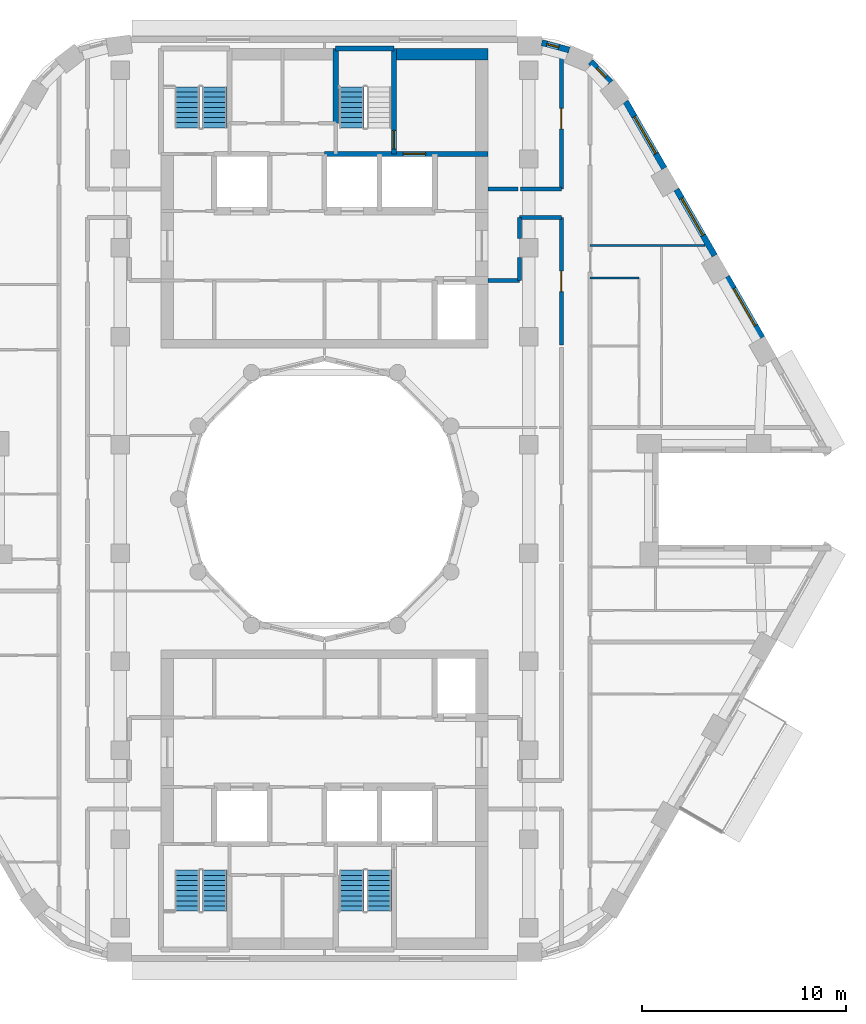
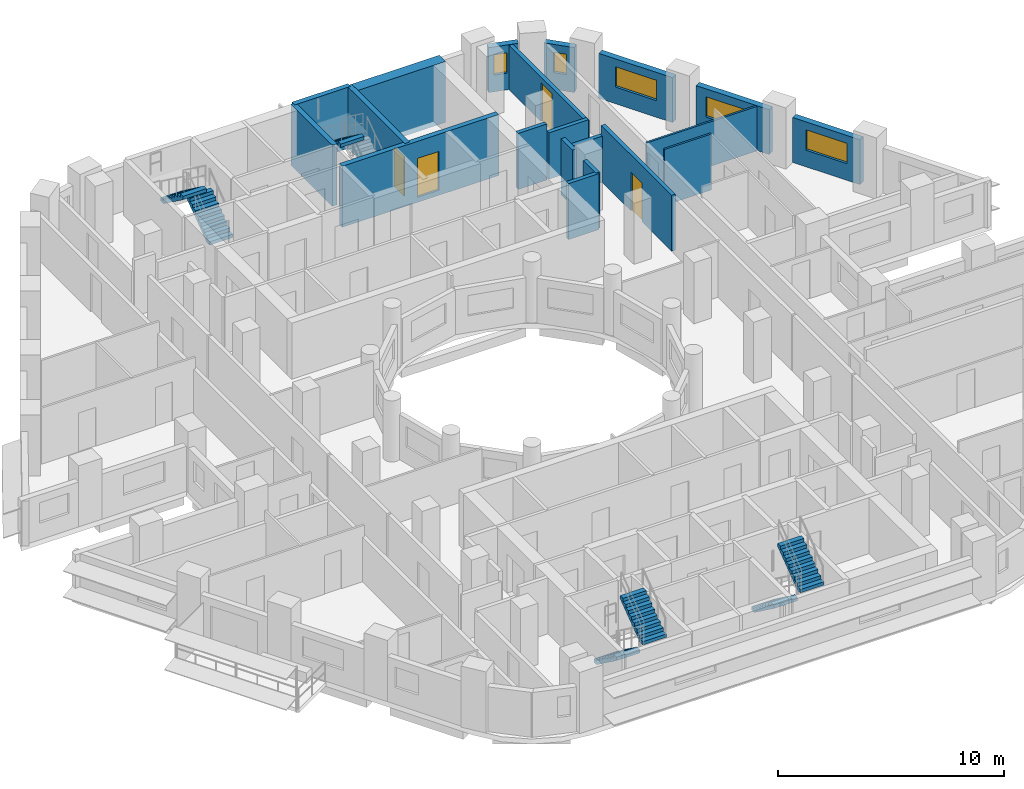
# One storey, part 9 of 16: 20 walls, 7 stair flights, 5 windows, 4 doors, 9 openings, 4 elements without a shape of their own.
"""IFC4 building model written with IfcOpenShell, lengths in metres."""

from ifc_helpers import new_model, si_unit, direction, frame, frame_2d, origin, place, context, subcontext, project, spatial, polyline, rectangle, outline, extrude, material, layer, layer_set, type_object, element, fill, aggregate, save


model = new_model("IFC4")

# Units and contexts
model_context = context("Model", 3, precision=1e-05, world=origin(), true_north=direction((0.0, 1.0)))
body_context = subcontext(model_context, "Body", "Model", "MODEL_VIEW")
ifc_project = project(units=[si_unit("LENGTHUNIT", "METRE"), si_unit("AREAUNIT", "SQUARE_METRE"), si_unit("VOLUMEUNIT", "CUBIC_METRE"), si_unit("PLANEANGLEUNIT", "RADIAN"), si_unit("MASSUNIT", "GRAM", prefix="KILO")], contexts=[model_context])

# Site, building, storey
site_placement = place(None, origin())
site = spatial("IfcSite", under=ifc_project, at=site_placement, CompositionType="ELEMENT")
building_placement = place(site_placement, origin())
building = spatial("IfcBuilding", under=site, at=building_placement, Name="Nakaniwa Court", CompositionType="ELEMENT")
storey_placement = place(building_placement, frame((0.0, 0.0, 196.5)))
storey = spatial("IfcBuildingStorey", under=building, at=storey_placement, Name="L51", CompositionType="ELEMENT", Elevation=196.5)

# Wall, opening, door
ifc_material_1 = material(Name="Acoustic double stud partition")
ifc_layer_1 = layer(ifc_material_1, 0.199951171875)
ifc_layer_set_1 = layer_set([ifc_layer_1], Name="Acoustic double stud partition")
wall_type_1 = type_object("IfcWallType", Name="Acoustic double stud partition 200", PredefinedType="PARTITIONING", material=ifc_layer_set_1)
wall_1_placement = place(storey_placement, frame((91.60009765625, 87.537109375, 0.0), z_axis=(0.0, 0.0, 1.0), x_axis=(0.0, 1.0, 0.0)))
wall_1 = element("IfcWall", 1, at=wall_1_placement, inside=storey, type_object=wall_type_1, Name="Partition PW-073", PredefinedType="PARTITIONING", context=body_context, shape_type="SweptSolid", body=[
    extrude(rectangle(XDim=6.23779296875, YDim=0.199951171875, at=frame_2d((3.118896484375, 0.0))), origin(), (0.0, 0.0, 1.0), 3.02490234375),
])
opening_1_placement = place(wall_1_placement, frame((2.6201171875, 0.0, 0.0)))
opening_1 = element("IfcOpeningElement", 2, at=opening_1_placement, cuts=wall_1, Name="Opening D-02-03", PredefinedType="OPENING", context=body_context, shape_type="SweptSolid", body=[
    extrude(rectangle(XDim=1.0, YDim=2.10009765625, at=frame_2d((0.5, 1.050048828125))), frame((0.0, 0.10986328125, 0.0), z_axis=(0.0, -1.0, 0.0), x_axis=(1.0, 0.0, 0.0)), (0.0, 0.0, 1.0), 0.219970703125),
])
ifc_material_2 = material(Name="Solid core timber door set, black veneer", Category="wood")
door_type_1 = type_object("IfcDoorType", Name="Internal door 1000", OperationType="NOTDEFINED", PredefinedType="DOOR", material=ifc_material_2)
door_1_placement = place(opening_1_placement, origin())
door_1 = element("IfcDoor", 3, at=door_1_placement, inside=storey, type_object=door_type_1, Name="Door D-02-03 L51-036", OperationType="SINGLE_SWING_LEFT", OverallHeight=2.10009765625, OverallWidth=1.0, PredefinedType="DOOR", context=body_context, shape_type="SweptSolid", body=[
    extrude(rectangle(XDim=1.0, YDim=2.10009765625, at=frame_2d((0.5, 1.050048828125))), frame((0.0, 0.02490234375, 0.0), z_axis=(0.0, -1.0, 0.0), x_axis=(1.0, 0.0, 0.0)), (0.0, 0.0, 1.0), 0.050048828125),
])
fill(opening_1, door_1)

wall_2_placement = place(storey_placement, frame((91.60009765625, 95.175048828125, 0.0), z_axis=(0.0, 0.0, 1.0), x_axis=(0.0, 1.0, 0.0)))
wall_2 = element("IfcWall", 4, at=wall_2_placement, inside=storey, type_object=wall_type_1, Name="Partition PW-074", PredefinedType="PARTITIONING", context=body_context, shape_type="SweptSolid", body=[
    extrude(rectangle(XDim=6.898681640625, YDim=0.199951171875, at=frame_2d((3.44921875, 0.0))), origin(), (0.0, 0.0, 1.0), 2.405029296875),
])
opening_2_placement = place(wall_2_placement, frame((2.949951171875, 0.0, 0.0)))
opening_2 = element("IfcOpeningElement", 5, at=opening_2_placement, cuts=wall_2, Name="Opening D-02-04", PredefinedType="OPENING", context=body_context, shape_type="SweptSolid", body=[
    extrude(rectangle(XDim=1.0, YDim=2.10009765625, at=frame_2d((0.5, 1.050048828125))), frame((0.0, 0.10986328125, 0.0), z_axis=(0.0, -1.0, 0.0), x_axis=(1.0, 0.0, 0.0)), (0.0, 0.0, 1.0), 0.219970703125),
])
door_2_placement = place(opening_2_placement, origin())
door_2 = element("IfcDoor", 6, at=door_2_placement, inside=storey, type_object=door_type_1, Name="Door D-02-04 L51-041", OperationType="SINGLE_SWING_RIGHT", OverallHeight=2.10009765625, OverallWidth=1.0, PredefinedType="DOOR", context=body_context, shape_type="SweptSolid", body=[
    extrude(rectangle(XDim=1.0, YDim=2.10009765625, at=frame_2d((0.5, 1.050048828125))), frame((0.0, 0.02490234375, 0.0), z_axis=(0.0, -1.0, 0.0), x_axis=(1.0, 0.0, 0.0)), (0.0, 0.0, 1.0), 0.050048828125),
])
fill(opening_2, door_2)

# Walls
wall_3_placement = place(storey_placement, frame((89.550048828125, 90.699951171875, 0.0), z_axis=(0.0, 0.0, 1.0), x_axis=(0.0, 1.0, 0.0)))
element("IfcWall", 7, at=wall_3_placement, inside=storey, type_object=wall_type_1, Name="Partition PW-084", PredefinedType="PARTITIONING", context=body_context, shape_type="SweptSolid", body=[
    extrude(rectangle(XDim=1.1328125, YDim=0.199951171875, at=frame_2d((0.56640625, 0.0))), origin(), (0.0, 0.0, 1.0), 3.02490234375),
])
wall_4_placement = place(storey_placement, frame((89.550048828125, 92.76708984375, 0.0), z_axis=(0.0, 0.0, 1.0), x_axis=(0.0, 1.0, 0.0)))
element("IfcWall", 8, at=wall_4_placement, inside=storey, type_object=wall_type_1, Name="Partition PW-085", PredefinedType="PARTITIONING", context=body_context, shape_type="SweptSolid", body=[
    extrude(rectangle(XDim=1.0078125, YDim=0.199951171875, at=frame_2d((0.50390625, 0.0))), origin(), (0.0, 0.0, 1.0), 3.02490234375),
])
wall_5_placement = place(storey_placement, frame((89.550048828125, 93.77490234375, 0.0), z_axis=(0.0, 0.0, 1.0), x_axis=(1.0, 0.0, 0.0)))
element("IfcWall", 9, at=wall_5_placement, inside=storey, type_object=wall_type_1, Name="Partition PW-089", PredefinedType="PARTITIONING", context=body_context, shape_type="SweptSolid", body=[
    extrude(rectangle(XDim=2.050048828125, YDim=0.199951171875, at=frame_2d((1.02490234375, 0.0))), origin(), (0.0, 0.0, 1.0), 2.5048828125),
])
wall_6_placement = place(storey_placement, frame((88.0, 90.699951171875, 0.0), z_axis=(0.0, 0.0, 1.0), x_axis=(1.0, 0.0, 0.0)))
element("IfcWall", 10, at=wall_6_placement, inside=storey, type_object=wall_type_1, Name="Partition PW-091", PredefinedType="PARTITIONING", context=body_context, shape_type="SweptSolid", body=[
    extrude(rectangle(XDim=1.550048828125, YDim=0.199951171875, at=frame_2d((0.77490234375, 0.0))), origin(), (0.0, 0.0, 1.0), 3.02490234375),
])
wall_7_placement = place(storey_placement, frame((88.0, 95.175048828125, 0.0), z_axis=(0.0, 0.0, 1.0), x_axis=(1.0, 0.0, 0.0)))
element("IfcWall", 11, at=wall_7_placement, inside=storey, type_object=wall_type_1, Name="Partition PW-094", PredefinedType="PARTITIONING", context=body_context, shape_type="SweptSolid", body=[
    extrude(rectangle(XDim=1.472900390625, YDim=0.199951171875, at=frame_2d((0.736328125, 0.0))), origin(), (0.0, 0.0, 1.0), 3.02490234375),
])
wall_8_placement = place(storey_placement, frame((89.587158203125, 95.175048828125, 0.0), z_axis=(0.0, 0.0, 1.0), x_axis=(1.0, 0.0, 0.0)))
element("IfcWall", 12, at=wall_8_placement, inside=storey, type_object=wall_type_1, Name="Partition PW-095", PredefinedType="PARTITIONING", context=body_context, shape_type="SweptSolid", body=[
    extrude(rectangle(XDim=2.012939453125, YDim=0.199951171875, at=frame_2d((1.00634765625, 0.0))), origin(), (0.0, 0.0, 1.0), 2.5048828125),
])

# Wall, opening, window
ifc_material_3 = material(Name="Charcoal ceramic cladding")
ifc_layer_2 = layer(ifc_material_3, 0.02, Name="Ceramic cladding")
ifc_material_4 = material(Name="Ventilated air cavity")
ifc_layer_3 = layer(ifc_material_4, 0.04, ventilated=True, Name="Ventilated cavity")
ifc_material_5 = material(Name="Mineral wool insulation")
ifc_layer_4 = layer(ifc_material_5, 0.1, Name="Insulation")
ifc_material_6 = material(Name="Cement bonded sheathing board")
ifc_layer_5 = layer(ifc_material_6, 0.012, Name="Sheathing")
ifc_material_7 = material(Name="Cold-formed galvanised stud frame with mineral wool infill")
ifc_layer_6 = layer(ifc_material_7, 0.1, Name="Stud frame")
ifc_material_8 = material(Name="Fire-rated gypsum plasterboard lining")
ifc_layer_7 = layer(ifc_material_8, 0.028, Name="Lining")
ifc_layer_set_2 = layer_set([ifc_layer_2, ifc_layer_3, ifc_layer_4, ifc_layer_5, ifc_layer_6, ifc_layer_7], Name="Charcoal ceramic faced external wall system")
wall_type_2 = type_object("IfcWallType", Name="Black ceramic faced external wall 300", PredefinedType="SOLIDWALL", material=ifc_layer_set_2)
wall_9_placement = place(storey_placement, frame((101.420654296875, 87.898193359375, 0.0), z_axis=(0.0, 0.0, 1.0), x_axis=(-0.499955427682, 0.866051136095, 0.0)))
wall_9 = element("IfcWall", 13, at=wall_9_placement, inside=storey, type_object=wall_type_2, Name="L51 external wall 03", PredefinedType="SOLIDWALL", context=body_context, shape_type="SweptSolid", body=[
    extrude(rectangle(XDim=3.447021484375, YDim=0.300048828125, at=frame_2d((1.7236328125, 0.0))), origin(), (0.0, 0.0, 1.0), 2.425048828125),
])
opening_3_placement = place(wall_9_placement, frame((0.673583984375, 0.0, 0.89990234375)))
opening_3 = element("IfcOpeningElement", 14, at=opening_3_placement, cuts=wall_9, Name="Opening W7.05", PredefinedType="OPENING", context=body_context, shape_type="SweptSolid", body=[
    extrude(rectangle(XDim=2.10009765625, YDim=1.10009765625, at=frame_2d((1.050048828125, 0.550048828125))), frame((0.0, 0.159912109375, 0.0), z_axis=(0.0, -1.0, 0.0), x_axis=(1.0, 0.0, 0.0)), (0.0, 0.0, 1.0), 0.320068359375),
])
ifc_material_9 = material(Name="Black anodised aluminium frame with dark low-E laminated double glazing", Category="aluminium")
window_type_1 = type_object("IfcWindowType", Name="Dark glass window 2100x1100 sill 900", PartitioningType="SINGLE_PANEL", PredefinedType="WINDOW", material=ifc_material_9)
window_1_placement = place(opening_3_placement, origin())
window_1 = element("IfcWindow", 15, at=window_1_placement, inside=storey, type_object=window_type_1, Name="L51 living window 03-0", OverallHeight=1.10009765625, OverallWidth=2.10009765625, PartitioningType="SINGLE_PANEL", PredefinedType="WINDOW", context=body_context, shape_type="SweptSolid", body=[
    extrude(rectangle(XDim=2.10009765625, YDim=1.10009765625, at=frame_2d((1.050048828125, 0.550048828125))), frame((0.0, 0.030029296875, 0.0), z_axis=(0.0, -1.0, 0.0), x_axis=(1.0, 0.0, 0.0)), (0.0, 0.0, 1.0), 0.06005859375),
])
fill(opening_3, window_1)

wall_10_placement = place(storey_placement, frame((99.101318359375, 91.916015625, 0.0), z_axis=(0.0, 0.0, 1.0), x_axis=(-0.500059225181, 0.86599120741, 0.0)))
wall_10 = element("IfcWall", 16, at=wall_10_placement, inside=storey, type_object=wall_type_2, Name="L51 external wall 04", PredefinedType="SOLIDWALL", context=body_context, shape_type="SweptSolid", body=[
    extrude(rectangle(XDim=3.744140625, YDim=0.300048828125, at=frame_2d((1.8720703125, 0.0))), origin(), (0.0, 0.0, 1.0), 2.425048828125),
])
opening_4_placement = place(wall_10_placement, frame((1.145263671875, 0.0, 0.89990234375)))
opening_4 = element("IfcOpeningElement", 17, at=opening_4_placement, cuts=wall_10, Name="Opening W7.06", PredefinedType="OPENING", context=body_context, shape_type="SweptSolid", body=[
    extrude(rectangle(XDim=2.10009765625, YDim=1.10009765625, at=frame_2d((1.050048828125, 0.550048828125))), frame((0.0, 0.159912109375, 0.0), z_axis=(0.0, -1.0, 0.0), x_axis=(1.0, 0.0, 0.0)), (0.0, 0.0, 1.0), 0.320068359375),
])
window_2_placement = place(opening_4_placement, origin())
window_2 = element("IfcWindow", 18, at=window_2_placement, inside=storey, type_object=window_type_1, Name="L51 habitable room window 04-1", OverallHeight=1.10009765625, OverallWidth=2.10009765625, PartitioningType="SINGLE_PANEL", PredefinedType="WINDOW", context=body_context, shape_type="SweptSolid", body=[
    extrude(rectangle(XDim=2.10009765625, YDim=1.10009765625, at=frame_2d((1.050048828125, 0.550048828125))), frame((0.0, 0.030029296875, 0.0), z_axis=(0.0, -1.0, 0.0), x_axis=(1.0, 0.0, 0.0)), (0.0, 0.0, 1.0), 0.06005859375),
])
fill(opening_4, window_2)

wall_11_placement = place(storey_placement, frame((96.633056640625, 96.190673828125, 0.0), z_axis=(0.0, 0.0, 1.0), x_axis=(-0.499961087031, 0.866047869032, 0.0)))
wall_11 = element("IfcWall", 19, at=wall_11_placement, inside=storey, type_object=wall_type_2, Name="L51 external wall 05", PredefinedType="SOLIDWALL", context=body_context, shape_type="SweptSolid", body=[
    extrude(rectangle(XDim=3.778564453125, YDim=0.300048828125, at=frame_2d((1.88916015625, 0.0))), origin(), (0.0, 0.0, 1.0), 2.425048828125),
])
opening_5_placement = place(wall_11_placement, frame((0.827880859375, 0.0, 0.89990234375)))
opening_5 = element("IfcOpeningElement", 20, at=opening_5_placement, cuts=wall_11, Name="Opening W7.07", PredefinedType="OPENING", context=body_context, shape_type="SweptSolid", body=[
    extrude(rectangle(XDim=2.10009765625, YDim=1.10009765625, at=frame_2d((1.050048828125, 0.550048828125))), frame((0.0, 0.159912109375, 0.0), z_axis=(0.0, -1.0, 0.0), x_axis=(1.0, 0.0, 0.0)), (0.0, 0.0, 1.0), 0.320068359375),
])
window_3_placement = place(opening_5_placement, origin())
window_3 = element("IfcWindow", 21, at=window_3_placement, inside=storey, type_object=window_type_1, Name="L51 habitable room window 05-0", OverallHeight=1.10009765625, OverallWidth=2.10009765625, PartitioningType="SINGLE_PANEL", PredefinedType="WINDOW", context=body_context, shape_type="SweptSolid", body=[
    extrude(rectangle(XDim=2.10009765625, YDim=1.10009765625, at=frame_2d((1.050048828125, 0.550048828125))), frame((0.0, 0.030029296875, 0.0), z_axis=(0.0, -1.0, 0.0), x_axis=(1.0, 0.0, 0.0)), (0.0, 0.0, 1.0), 0.06005859375),
])
fill(opening_5, window_3)

wall_12_placement = place(storey_placement, frame((94.009033203125, 100.40185546875, 0.0), z_axis=(0.0, 0.0, 1.0), x_axis=(-0.69817596362, 0.715926199984, 0.0)))
wall_12 = element("IfcWall", 22, at=wall_12_placement, inside=storey, type_object=wall_type_2, Name="L51 external wall 06", PredefinedType="SOLIDWALL", context=body_context, shape_type="SweptSolid", body=[
    extrude(rectangle(XDim=1.40283203125, YDim=0.300048828125, at=frame_2d((0.701416015625, 0.0))), origin(), (0.0, 0.0, 1.0), 2.425048828125),
])
opening_6_placement = place(wall_12_placement, frame((0.35986328125, 0.0, 0.89990234375)))
opening_6 = element("IfcOpeningElement", 23, at=opening_6_placement, cuts=wall_12, Name="Opening W8.08", PredefinedType="OPENING", context=body_context, shape_type="SweptSolid", body=[
    extrude(rectangle(XDim=0.60009765625, YDim=1.10009765625, at=frame_2d((0.300048828125, 0.550048828125))), frame((0.0, 0.159912109375, 0.0), z_axis=(0.0, -1.0, 0.0), x_axis=(1.0, 0.0, 0.0)), (0.0, 0.0, 1.0), 0.320068359375),
])
window_type_2 = type_object("IfcWindowType", Name="Dark glass window 600x1100 sill 900", PartitioningType="SINGLE_PANEL", PredefinedType="WINDOW", material=ifc_material_9)
window_4_placement = place(opening_6_placement, origin())
window_4 = element("IfcWindow", 24, at=window_4_placement, inside=storey, type_object=window_type_2, Name="L51 habitable room window 06-0", OverallHeight=1.10009765625, OverallWidth=0.60009765625, PartitioningType="SINGLE_PANEL", PredefinedType="WINDOW", context=body_context, shape_type="SweptSolid", body=[
    extrude(rectangle(XDim=0.60009765625, YDim=1.10009765625, at=frame_2d((0.300048828125, 0.550048828125))), frame((0.0, 0.030029296875, 0.0), z_axis=(0.0, -1.0, 0.0), x_axis=(1.0, 0.0, 0.0)), (0.0, 0.0, 1.0), 0.06005859375),
])
fill(opening_6, window_4)

wall_13_placement = place(storey_placement, frame((91.977294921875, 101.981201171875, 0.0), z_axis=(0.0, 0.0, 1.0), x_axis=(-0.965315341278, 0.261086751661, 0.0)))
wall_13 = element("IfcWall", 25, at=wall_13_placement, inside=storey, type_object=wall_type_2, Name="L51 external wall 07", PredefinedType="SOLIDWALL", context=body_context, shape_type="SweptSolid", body=[
    extrude(rectangle(XDim=1.384033203125, YDim=0.300048828125, at=frame_2d((0.69189453125, 0.0))), origin(), (0.0, 0.0, 1.0), 2.425048828125),
])
opening_7_placement = place(wall_13_placement, frame((0.529296875, 0.0, 0.89990234375)))
opening_7 = element("IfcOpeningElement", 26, at=opening_7_placement, cuts=wall_13, Name="Opening W8.09", PredefinedType="OPENING", context=body_context, shape_type="SweptSolid", body=[
    extrude(rectangle(XDim=0.60009765625, YDim=1.10009765625, at=frame_2d((0.300048828125, 0.550048828125))), frame((0.0, 0.159912109375, 0.0), z_axis=(0.0, -1.0, 0.0), x_axis=(1.0, 0.0, 0.0)), (0.0, 0.0, 1.0), 0.320068359375),
])
window_5_placement = place(opening_7_placement, origin())
window_5 = element("IfcWindow", 27, at=window_5_placement, inside=storey, type_object=window_type_2, Name="L51 habitable room window 07-1", OverallHeight=1.10009765625, OverallWidth=0.60009765625, PartitioningType="SINGLE_PANEL", PredefinedType="WINDOW", context=body_context, shape_type="SweptSolid", body=[
    extrude(rectangle(XDim=0.60009765625, YDim=1.10009765625, at=frame_2d((0.300048828125, 0.550048828125))), frame((0.0, 0.030029296875, 0.0), z_axis=(0.0, -1.0, 0.0), x_axis=(1.0, 0.0, 0.0)), (0.0, 0.0, 1.0), 0.06005859375),
])
fill(opening_7, window_5)

# Walls
ifc_material_10 = material(Name="Concrete C80/100", Category="concrete")
ifc_layer_8 = layer(ifc_material_10, 0.25)
ifc_layer_set_3 = layer_set([ifc_layer_8], Name="Concrete C80/100")
wall_type_3 = type_object("IfcWallType", Name="Concrete core wall 250 C80", PredefinedType="SHEAR", material=ifc_layer_set_3)
wall_14_placement = place(storey_placement, frame((80.550048828125, 102.050048828125, -0.27490234375), z_axis=(0.0, 0.0, 1.0), x_axis=(1.0, 0.0, 0.0)))
element("IfcWall", 28, at=wall_14_placement, inside=storey, type_object=wall_type_3, Name="Core wall SW-26", PredefinedType="SHEAR", context=body_context, shape_type="SweptSolid", body=[
    extrude(rectangle(XDim=2.849853515625, YDim=0.25, at=frame_2d((1.4248046875, 0.0))), origin(), (0.0, 0.0, 1.0), 3.2998046875),
])
ifc_layer_9 = layer(ifc_material_10, 0.550048828125)
ifc_layer_set_4 = layer_set([ifc_layer_9], Name="Concrete C80/100")
wall_type_4 = type_object("IfcWallType", Name="Concrete core wall 550 C80", PredefinedType="SHEAR", material=ifc_layer_set_4)
wall_15_placement = place(storey_placement, frame((83.39990234375, 101.77490234375, -0.27490234375), z_axis=(0.0, 0.0, 1.0), x_axis=(1.0, 0.0, 0.0)))
element("IfcWall", 29, at=wall_15_placement, inside=storey, type_object=wall_type_4, Name="Core wall SW-32", PredefinedType="SHEAR", context=body_context, shape_type="SweptSolid", body=[
    extrude(rectangle(XDim=4.60009765625, YDim=0.550048828125, at=frame_2d((2.300048828125, 0.0))), origin(), (0.0, 0.0, 1.0), 3.2998046875),
])

# Wall, opening, door
ifc_layer_10 = layer(ifc_material_10, 0.25)
ifc_layer_set_5 = layer_set([ifc_layer_10], Name="Concrete C80/100")
wall_type_5 = type_object("IfcWallType", Name="Concrete shaft wall 250 C80", PredefinedType="SHEAR", material=ifc_layer_set_5)
wall_16_placement = place(storey_placement, frame((80.0, 96.89990234375, -0.27490234375), z_axis=(0.0, 0.0, 1.0), x_axis=(1.0, 0.0, 0.0)))
wall_16 = element("IfcWall", 30, at=wall_16_placement, inside=storey, type_object=wall_type_5, Name="Core wall SW-19", PredefinedType="SHEAR", context=body_context, shape_type="SweptSolid", body=[
    extrude(rectangle(XDim=8.0, YDim=0.25, at=frame_2d((4.0, 0.0))), origin(), (0.0, 0.0, 1.0), 3.2998046875),
])
opening_8_placement = place(wall_16_placement, frame((3.84912109375, 0.0, 0.27490234375)))
opening_8 = element("IfcOpeningElement", 31, at=opening_8_placement, cuts=wall_16, Name="Opening LD04", PredefinedType="OPENING", context=body_context, shape_type="SweptSolid", body=[
    extrude(rectangle(XDim=1.10009765625, YDim=2.10009765625, at=frame_2d((0.550048828125, 1.050048828125))), frame((0.0, 0.135009765625, 0.0), z_axis=(0.0, -1.0, 0.0), x_axis=(1.0, 0.0, 0.0)), (0.0, 0.0, 1.0), 0.27001953125),
])
ifc_material_11 = material(Name="Stainless steel sliding lift landing door", Category="steel")
door_type_2 = type_object("IfcDoorType", Name="Lift landing door 1100", OperationType="NOTDEFINED", PredefinedType="DOOR", material=ifc_material_11)
door_3_placement = place(opening_8_placement, origin())
door_3 = element("IfcDoor", 32, at=door_3_placement, inside=storey, type_object=door_type_2, Name="Lift landing door LD04 L51-004", OperationType="SLIDING_TO_LEFT", OverallHeight=2.10009765625, OverallWidth=1.10009765625, PredefinedType="DOOR", context=body_context, shape_type="SweptSolid", body=[
    extrude(rectangle(XDim=1.10009765625, YDim=2.10009765625, at=frame_2d((0.550048828125, 1.050048828125))), frame((0.0, 0.02490234375, 0.0), z_axis=(0.0, -1.0, 0.0), x_axis=(1.0, 0.0, 0.0)), (0.0, 0.0, 1.0), 0.050048828125),
])
fill(opening_8, door_3)

wall_17_placement = place(storey_placement, frame((83.39990234375, 102.050048828125, -0.27490234375), z_axis=(0.0, 0.0, 1.0), x_axis=(0.0, -1.0, 0.0)))
wall_17 = element("IfcWall", 33, at=wall_17_placement, inside=storey, type_object=wall_type_5, Name="Core wall SW-28", PredefinedType="SHEAR", context=body_context, shape_type="SweptSolid", body=[
    extrude(rectangle(XDim=5.150146484375, YDim=0.25, at=frame_2d((2.5751953125, 0.0))), origin(), (0.0, 0.0, 1.0), 3.2998046875),
])
opening_9_placement = place(wall_17_placement, frame((4.0, 0.0, 0.27490234375)))
opening_9 = element("IfcOpeningElement", 34, at=opening_9_placement, cuts=wall_17, Name="Opening D-11-01", PredefinedType="OPENING", context=body_context, shape_type="SweptSolid", body=[
    extrude(rectangle(XDim=0.89990234375, YDim=2.10009765625, at=frame_2d((0.449951171875, 1.050048828125))), frame((0.0, 0.135009765625, 0.0), z_axis=(0.0, -1.0, 0.0), x_axis=(1.0, 0.0, 0.0)), (0.0, 0.0, 1.0), 0.27001953125),
])
ifc_material_12 = material(Name="Fire rated steel door set", Category="steel")
door_type_3 = type_object("IfcDoorType", Name="Stair door 900", OperationType="NOTDEFINED", PredefinedType="DOOR", material=ifc_material_12)
door_4_placement = place(opening_9_placement, origin())
door_4 = element("IfcDoor", 35, at=door_4_placement, inside=storey, type_object=door_type_3, Name="Door D-11-01 L51-012", OperationType="SINGLE_SWING_RIGHT", OverallHeight=2.10009765625, OverallWidth=0.89990234375, PredefinedType="DOOR", context=body_context, shape_type="SweptSolid", body=[
    extrude(rectangle(XDim=0.89990234375, YDim=2.10009765625, at=frame_2d((0.449951171875, 1.050048828125))), frame((0.0, 0.02490234375, 0.0), z_axis=(0.0, -1.0, 0.0), x_axis=(1.0, 0.0, 0.0)), (0.0, 0.0, 1.0), 0.050048828125),
])
fill(opening_9, door_4)

# Walls
wall_18_placement = place(storey_placement, frame((80.550048828125, 98.39697265625, -0.27490234375), z_axis=(0.0, 0.0, 1.0), x_axis=(0.0, 1.0, 0.0)))
element("IfcWall", 36, at=wall_18_placement, inside=storey, type_object=wall_type_5, Name="Core wall SW-30", PredefinedType="SHEAR", context=body_context, shape_type="SweptSolid", body=[
    extrude(rectangle(XDim=3.653076171875, YDim=0.25, at=frame_2d((1.82666015625, 0.0))), origin(), (0.0, 0.0, 1.0), 3.2998046875),
])
ifc_material_13 = material(Name="Single stud plasterboard partition")
ifc_layer_11 = layer(ifc_material_13, 0.10009765625)
ifc_layer_set_6 = layer_set([ifc_layer_11], Name="Single stud plasterboard partition")
wall_type_6 = type_object("IfcWallType", Name="Single stud plasterboard partition 100", PredefinedType="PARTITIONING", material=ifc_layer_set_6)
wall_19_placement = place(storey_placement, frame((93.0009765625, 90.81201171875, 0.0), z_axis=(0.0, 0.0, 1.0), x_axis=(1.0, 0.0, 0.0)))
element("IfcWall", 37, at=wall_19_placement, inside=storey, type_object=wall_type_6, Name="Partition PW-125", PredefinedType="PARTITIONING", context=body_context, shape_type="SweptSolid", body=[
    extrude(rectangle(XDim=2.39990234375, YDim=0.10009765625, at=frame_2d((1.199951171875, 0.0))), origin(), (0.0, 0.0, 1.0), 3.02490234375),
])
wall_20_placement = place(storey_placement, frame((93.0009765625, 92.412109375, 0.0), z_axis=(0.0, 0.0, 1.0), x_axis=(1.0, 0.0, 0.0)))
element("IfcWall", 38, at=wall_20_placement, inside=storey, type_object=wall_type_6, Name="Partition PW-127", PredefinedType="PARTITIONING", context=body_context, shape_type="SweptSolid", body=[
    extrude(rectangle(XDim=5.64013671875, YDim=0.10009765625, at=frame_2d((2.820068359375, 0.0))), origin(), (0.0, 0.0, 1.0), 2.405029296875),
])

# Stair, stair flights
stair_type = type_object("IfcStairType", Name="Dog leg stair 1200 wide 18 risers", PredefinedType="HALF_TURN_STAIR", material=ifc_material_10)
stair_1_placement = place(storey_placement, origin())
stair_1 = element("IfcStair", 39, at=stair_1_placement, inside=storey, type_object=stair_type, Name="L51 Stair ST1", PredefinedType="HALF_TURN_STAIR")
stair_flight_type = type_object("IfcStairFlightType", Name="Stair flight 1200 wide 9 risers", PredefinedType="STRAIGHT", material=ifc_material_10)
stair_flight_1_placement = place(storey_placement, frame((74.625, 98.175048828125, 0.0), z_axis=(0.0, 0.0, 1.0), x_axis=(0.0, 1.0, 0.0)))
stair_flight_1 = element("IfcStairFlight", 40, at=stair_flight_1_placement, type_object=stair_flight_type, Name="ST1 flight 1", NumberOfRisers=9, NumberOfTreads=8, PredefinedType="STRAIGHT", RiserHeight=0.183333333, TreadLength=0.25, context=body_context, shape_type="SweptSolid", body=[
    extrude(outline(polyline([(0.0, 0.0), (0.0, 0.026123046875), (0.0, 0.052490234375), (0.0, 0.07861328125), (0.0, 0.104736328125), (0.0, 0.130859375), (0.0, 0.1572265625), (0.0, 0.183349609375), (0.25, 0.183349609375), (0.25, 0.36669921875), (0.5, 0.36669921875), (0.5, 0.550048828125), (0.75, 0.550048828125), (0.75, 0.7333984375), (1.0, 0.7333984375), (1.0, 0.916748046875), (1.25, 0.916748046875), (1.25, 1.10009765625), (1.5, 1.10009765625), (1.5, 1.283447265625), (1.75, 1.283447265625), (1.75, 1.466552734375), (2.0, 1.466552734375), (2.0, 1.64990234375), (2.0, 1.59716796875), (2.0, 1.54443359375), (2.0, 1.49169921875), (2.0, 1.43896484375), (2.0, 1.38623046875), (2.0, 1.33349609375), (2.0, 1.28076171875), (0.25341796875, 0.0), (0.0, 0.0)])), frame((0.0, 0.60009765625, 0.0), z_axis=(0.0, -1.0, 0.0), x_axis=(1.0, 0.0, 0.0)), (0.0, 0.0, 1.0), 1.199951171875),
])
stair_flight_2_placement = place(storey_placement, frame((73.27490234375, 100.175048828125, 1.64990234375), z_axis=(0.0, 0.0, 1.0), x_axis=(0.0, -1.0, 0.0)))
stair_flight_2 = element("IfcStairFlight", 41, at=stair_flight_2_placement, type_object=stair_flight_type, Name="ST1 flight 2", NumberOfRisers=9, NumberOfTreads=8, PredefinedType="STRAIGHT", RiserHeight=0.183333333, TreadLength=0.25, context=body_context, shape_type="SweptSolid", body=[
    extrude(outline(polyline([(0.0, 0.0), (0.0, 0.026123046875), (0.0, 0.052490234375), (0.0, 0.07861328125), (0.0, 0.104736328125), (0.0, 0.130859375), (0.0, 0.1572265625), (0.0, 0.183349609375), (0.25, 0.183349609375), (0.25, 0.36669921875), (0.5, 0.36669921875), (0.5, 0.550048828125), (0.75, 0.550048828125), (0.75, 0.7333984375), (1.0, 0.7333984375), (1.0, 0.916748046875), (1.25, 0.916748046875), (1.25, 1.10009765625), (1.5, 1.10009765625), (1.5, 1.283447265625), (1.75, 1.283447265625), (1.75, 1.466552734375), (2.0, 1.466552734375), (2.0, 1.64990234375), (2.0, 1.59716796875), (2.0, 1.54443359375), (2.0, 1.49169921875), (2.0, 1.43896484375), (2.0, 1.38623046875), (2.0, 1.33349609375), (2.0, 1.28076171875), (0.25341796875, 0.0), (0.0, 0.0)])), frame((0.0, 0.60009765625, 0.0), z_axis=(0.0, -1.0, 0.0), x_axis=(1.0, 0.0, 0.0)), (0.0, 0.0, 1.0), 1.199951171875),
])
aggregate(stair_1, [stair_flight_1, stair_flight_2])

# Stair, stair flight
stair_2_placement = place(storey_placement, origin())
stair_2 = element("IfcStair", 42, at=stair_2_placement, inside=storey, type_object=stair_type, Name="L51 Stair ST2", PredefinedType="HALF_TURN_STAIR")
stair_flight_3_placement = place(storey_placement, frame((81.324951171875, 100.175048828125, 1.64990234375), z_axis=(0.0, 0.0, 1.0), x_axis=(0.0, -1.0, 0.0)))
stair_flight_3 = element("IfcStairFlight", 43, at=stair_flight_3_placement, type_object=stair_flight_type, Name="ST2 flight 2", NumberOfRisers=9, NumberOfTreads=8, PredefinedType="STRAIGHT", RiserHeight=0.183333333, TreadLength=0.25, context=body_context, shape_type="SweptSolid", body=[
    extrude(outline(polyline([(0.0, 0.0), (0.0, 0.026123046875), (0.0, 0.052490234375), (0.0, 0.07861328125), (0.0, 0.104736328125), (0.0, 0.130859375), (0.0, 0.1572265625), (0.0, 0.183349609375), (0.25, 0.183349609375), (0.25, 0.36669921875), (0.5, 0.36669921875), (0.5, 0.550048828125), (0.75, 0.550048828125), (0.75, 0.7333984375), (1.0, 0.7333984375), (1.0, 0.916748046875), (1.25, 0.916748046875), (1.25, 1.10009765625), (1.5, 1.10009765625), (1.5, 1.283447265625), (1.75, 1.283447265625), (1.75, 1.466552734375), (2.0, 1.466552734375), (2.0, 1.64990234375), (2.0, 1.59716796875), (2.0, 1.54443359375), (2.0, 1.49169921875), (2.0, 1.43896484375), (2.0, 1.38623046875), (2.0, 1.33349609375), (2.0, 1.28076171875), (0.25341796875, 0.0), (0.0, 0.0)])), frame((0.0, 0.60009765625, 0.0), z_axis=(0.0, -1.0, 0.0), x_axis=(1.0, 0.0, 0.0)), (0.0, 0.0, 1.0), 1.199951171875),
])
aggregate(stair_2, [stair_flight_3])

# Stair, stair flights
stair_3_placement = place(storey_placement, origin())
stair_3 = element("IfcStair", 44, at=stair_3_placement, inside=storey, type_object=stair_type, Name="L51 Stair ST3", PredefinedType="HALF_TURN_STAIR")
stair_flight_4_placement = place(storey_placement, frame((73.27490234375, 61.824951171875, 0.0), z_axis=(0.0, 0.0, 1.0), x_axis=(0.0, -1.0, 0.0)))
stair_flight_4 = element("IfcStairFlight", 45, at=stair_flight_4_placement, type_object=stair_flight_type, Name="ST3 flight 1", NumberOfRisers=9, NumberOfTreads=8, PredefinedType="STRAIGHT", RiserHeight=0.183333333, TreadLength=0.25, context=body_context, shape_type="SweptSolid", body=[
    extrude(outline(polyline([(0.0, 0.0), (0.0, 0.026123046875), (0.0, 0.052490234375), (0.0, 0.07861328125), (0.0, 0.104736328125), (0.0, 0.130859375), (0.0, 0.1572265625), (0.0, 0.183349609375), (0.25, 0.183349609375), (0.25, 0.36669921875), (0.5, 0.36669921875), (0.5, 0.550048828125), (0.75, 0.550048828125), (0.75, 0.7333984375), (1.0, 0.7333984375), (1.0, 0.916748046875), (1.25, 0.916748046875), (1.25, 1.10009765625), (1.5, 1.10009765625), (1.5, 1.283447265625), (1.75, 1.283447265625), (1.75, 1.466552734375), (2.0, 1.466552734375), (2.0, 1.64990234375), (2.0, 1.59716796875), (2.0, 1.54443359375), (2.0, 1.49169921875), (2.0, 1.43896484375), (2.0, 1.38623046875), (2.0, 1.33349609375), (2.0, 1.28076171875), (0.25341796875, 0.0), (0.0, 0.0)])), frame((0.0, 0.60009765625, 0.0), z_axis=(0.0, -1.0, 0.0), x_axis=(1.0, 0.0, 0.0)), (0.0, 0.0, 1.0), 1.199951171875),
])
stair_flight_5_placement = place(storey_placement, frame((74.625, 59.824951171875, 1.64990234375), z_axis=(0.0, 0.0, 1.0), x_axis=(0.0, 1.0, 0.0)))
stair_flight_5 = element("IfcStairFlight", 46, at=stair_flight_5_placement, type_object=stair_flight_type, Name="ST3 flight 2", NumberOfRisers=9, NumberOfTreads=8, PredefinedType="STRAIGHT", RiserHeight=0.183333333, TreadLength=0.25, context=body_context, shape_type="SweptSolid", body=[
    extrude(outline(polyline([(0.0, 0.0), (0.0, 0.026123046875), (0.0, 0.052490234375), (0.0, 0.07861328125), (0.0, 0.104736328125), (0.0, 0.130859375), (0.0, 0.1572265625), (0.0, 0.183349609375), (0.25, 0.183349609375), (0.25, 0.36669921875), (0.5, 0.36669921875), (0.5, 0.550048828125), (0.75, 0.550048828125), (0.75, 0.7333984375), (1.0, 0.7333984375), (1.0, 0.916748046875), (1.25, 0.916748046875), (1.25, 1.10009765625), (1.5, 1.10009765625), (1.5, 1.283447265625), (1.75, 1.283447265625), (1.75, 1.466552734375), (2.0, 1.466552734375), (2.0, 1.64990234375), (2.0, 1.59716796875), (2.0, 1.54443359375), (2.0, 1.49169921875), (2.0, 1.43896484375), (2.0, 1.38623046875), (2.0, 1.33349609375), (2.0, 1.28076171875), (0.25341796875, 0.0), (0.0, 0.0)])), frame((0.0, 0.60009765625, 0.0), z_axis=(0.0, -1.0, 0.0), x_axis=(1.0, 0.0, 0.0)), (0.0, 0.0, 1.0), 1.199951171875),
])
aggregate(stair_3, [stair_flight_4, stair_flight_5])

stair_4_placement = place(storey_placement, origin())
stair_4 = element("IfcStair", 47, at=stair_4_placement, inside=storey, type_object=stair_type, Name="L51 Stair ST4", PredefinedType="HALF_TURN_STAIR")
stair_flight_6_placement = place(storey_placement, frame((81.324951171875, 61.824951171875, 0.0), z_axis=(0.0, 0.0, 1.0), x_axis=(0.0, -1.0, 0.0)))
stair_flight_6 = element("IfcStairFlight", 48, at=stair_flight_6_placement, type_object=stair_flight_type, Name="ST4 flight 1", NumberOfRisers=9, NumberOfTreads=8, PredefinedType="STRAIGHT", RiserHeight=0.183333333, TreadLength=0.25, context=body_context, shape_type="SweptSolid", body=[
    extrude(outline(polyline([(0.0, 0.0), (0.0, 0.026123046875), (0.0, 0.052490234375), (0.0, 0.07861328125), (0.0, 0.104736328125), (0.0, 0.130859375), (0.0, 0.1572265625), (0.0, 0.183349609375), (0.25, 0.183349609375), (0.25, 0.36669921875), (0.5, 0.36669921875), (0.5, 0.550048828125), (0.75, 0.550048828125), (0.75, 0.7333984375), (1.0, 0.7333984375), (1.0, 0.916748046875), (1.25, 0.916748046875), (1.25, 1.10009765625), (1.5, 1.10009765625), (1.5, 1.283447265625), (1.75, 1.283447265625), (1.75, 1.466552734375), (2.0, 1.466552734375), (2.0, 1.64990234375), (2.0, 1.59716796875), (2.0, 1.54443359375), (2.0, 1.49169921875), (2.0, 1.43896484375), (2.0, 1.38623046875), (2.0, 1.33349609375), (2.0, 1.28076171875), (0.25341796875, 0.0), (0.0, 0.0)])), frame((0.0, 0.60009765625, 0.0), z_axis=(0.0, -1.0, 0.0), x_axis=(1.0, 0.0, 0.0)), (0.0, 0.0, 1.0), 1.199951171875),
])
stair_flight_7_placement = place(storey_placement, frame((82.675048828125, 59.824951171875, 1.64990234375), z_axis=(0.0, 0.0, 1.0), x_axis=(0.0, 1.0, 0.0)))
stair_flight_7 = element("IfcStairFlight", 49, at=stair_flight_7_placement, type_object=stair_flight_type, Name="ST4 flight 2", NumberOfRisers=9, NumberOfTreads=8, PredefinedType="STRAIGHT", RiserHeight=0.183333333, TreadLength=0.25, context=body_context, shape_type="SweptSolid", body=[
    extrude(outline(polyline([(0.0, 0.0), (0.0, 0.026123046875), (0.0, 0.052490234375), (0.0, 0.07861328125), (0.0, 0.104736328125), (0.0, 0.130859375), (0.0, 0.1572265625), (0.0, 0.183349609375), (0.25, 0.183349609375), (0.25, 0.36669921875), (0.5, 0.36669921875), (0.5, 0.550048828125), (0.75, 0.550048828125), (0.75, 0.7333984375), (1.0, 0.7333984375), (1.0, 0.916748046875), (1.25, 0.916748046875), (1.25, 1.10009765625), (1.5, 1.10009765625), (1.5, 1.283447265625), (1.75, 1.283447265625), (1.75, 1.466552734375), (2.0, 1.466552734375), (2.0, 1.64990234375), (2.0, 1.59716796875), (2.0, 1.54443359375), (2.0, 1.49169921875), (2.0, 1.43896484375), (2.0, 1.38623046875), (2.0, 1.33349609375), (2.0, 1.28076171875), (0.25341796875, 0.0), (0.0, 0.0)])), frame((0.0, 0.60009765625, 0.0), z_axis=(0.0, -1.0, 0.0), x_axis=(1.0, 0.0, 0.0)), (0.0, 0.0, 1.0), 1.199951171875),
])
aggregate(stair_4, [stair_flight_6, stair_flight_7])

save(model, "model.ifc")
